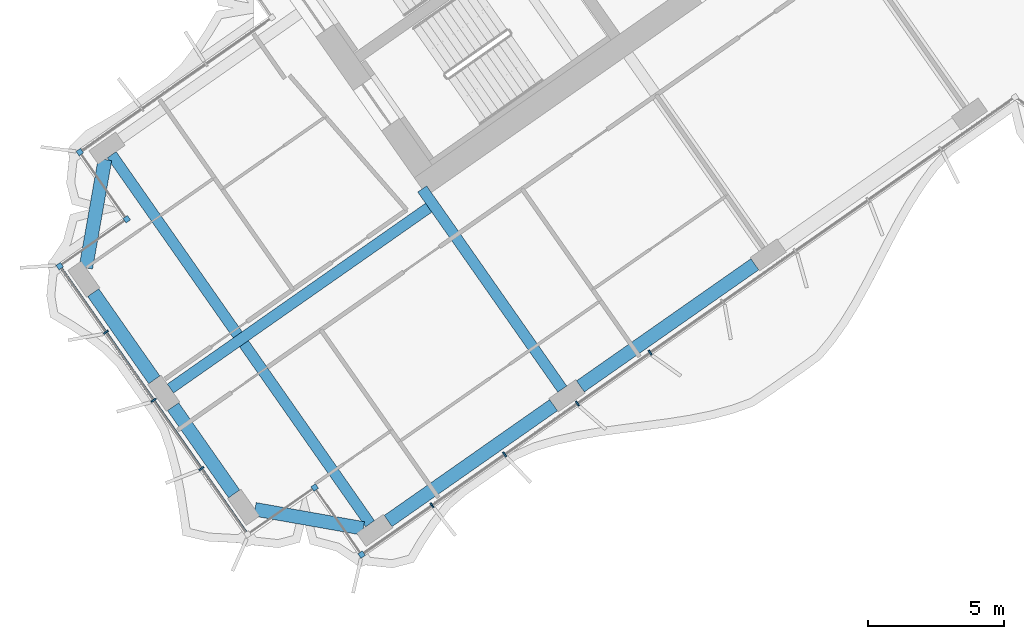
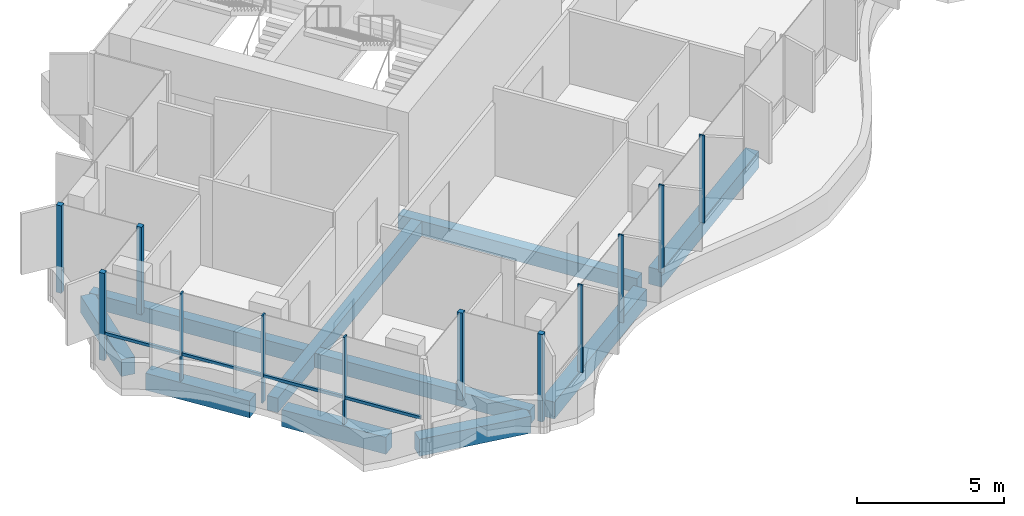
# One storey, part 2 of 21: 13 members, 9 beams, 1 element without a shape of its own.
"""IFC4 building model written with IfcOpenShell, lengths in metres."""

from ifc_helpers import new_model, si_unit, direction, frame, origin, origin_2d, place, context, subcontext, project, spatial, rectangle, extrude, material, material_profile, profile_set, type_object, element, aggregate, save


model = new_model("IFC4")

# Units and contexts
model_context = context("Model", 3, precision=1e-05, world=origin(), true_north=direction((0.0, 1.0)))
body_context = subcontext(model_context, "Body", "Model", "MODEL_VIEW")
ifc_project = project(units=[si_unit("LENGTHUNIT", "METRE"), si_unit("AREAUNIT", "SQUARE_METRE"), si_unit("VOLUMEUNIT", "CUBIC_METRE"), si_unit("PLANEANGLEUNIT", "RADIAN"), si_unit("MASSUNIT", "GRAM", prefix="KILO")], contexts=[model_context])

# Site, building, storey
site_placement = place(None, origin())
site = spatial("IfcSite", under=ifc_project, at=site_placement, CompositionType="ELEMENT")
building_placement = place(site_placement, origin())
building = spatial("IfcBuilding", under=site, at=building_placement, Name="Tel Ilan Convention Tower", CompositionType="ELEMENT")
storey_placement = place(building_placement, frame((0.0, 0.0, 206.10009765625)))
storey = spatial("IfcBuildingStorey", under=building, at=storey_placement, Name="L48", CompositionType="ELEMENT", Elevation=206.10009765625)

# Beams
ifc_material_1 = material(Name="Concrete C40/50", Category="concrete")
ifc_material_profile_1 = material_profile(ifc_material_1, rectangle(XDim=0.39990234375, YDim=0.60009765625, at=origin_2d()), Name="RC 400x600")
ifc_profile_set_1 = profile_set([ifc_material_profile_1], Name="Concrete C40/50")
beam_type_1 = type_object("IfcBeamType", Name="Beam RC 400x600 Concrete C40/50", PredefinedType="BEAM", material=ifc_profile_set_1)
beam_1_placement = place(storey_placement, frame((-16.58203125, -23.391357421875, -0.580078125), z_axis=(-0.573584999642, 0.819146048141, 0.0), x_axis=(-0.819146048141, -0.573584999642, 0.0)))
element("IfcBeam", 1, at=beam_1_placement, inside=storey, type_object=beam_type_1, Name="L48 beam W-W-F3-core", PredefinedType="BEAM", context=body_context, shape_type="SweptSolid", body=[
    extrude(rectangle(XDim=0.39990234375, YDim=0.60009765625, at=origin_2d()), origin(), (0.0, 0.0, 1.0), 8.949951171875),
])
beam_2_placement = place(storey_placement, frame((-21.477783203125, -16.748046875, -0.580078125), z_axis=(-0.819160415691, -0.573564480564, 0.0), x_axis=(0.573564480564, -0.819160415691, 0.0)))
element("IfcBeam", 2, at=beam_2_placement, inside=storey, type_object=beam_type_1, Name="L48 beam W-core-end", PredefinedType="BEAM", context=body_context, shape_type="SweptSolid", body=[
    extrude(rectangle(XDim=0.39990234375, YDim=0.60009765625, at=origin_2d()), origin(), (0.0, 0.0, 1.0), 11.550048828125),
])
beam_3_placement = place(storey_placement, frame((-23.626708984375, -28.32421875, -0.580078125), z_axis=(-0.573577531157, 0.819151277697, 0.0), x_axis=(-0.819151277697, -0.573577531157, 0.0)))
element("IfcBeam", 3, at=beam_3_placement, inside=storey, type_object=beam_type_1, Name="L48 beam W-W-FC-W-BC", PredefinedType="BEAM", context=body_context, shape_type="SweptSolid", body=[
    extrude(rectangle(XDim=0.39990234375, YDim=0.60009765625, at=origin_2d()), origin(), (0.0, 0.0, 1.0), 16.500244140625),
])
ifc_material_2 = material(Name="Concrete C40/50", Category="concrete")
ifc_material_profile_2 = material_profile(ifc_material_2, rectangle(XDim=0.5, YDim=0.699951171875, at=origin_2d()), Name="RC 500x700")
ifc_profile_set_2 = profile_set([ifc_material_profile_2], Name="Concrete C40/50")
beam_type_2 = type_object("IfcBeamType", Name="Beam RC 500x700 Concrete C40/50", PredefinedType="BEAM", material=ifc_profile_set_2)
beam_4_placement = place(storey_placement, frame((-9.529052734375, -18.819091796875, -0.630126953125), z_axis=(-0.819153977895, -0.573573674866, 0.0), x_axis=(0.573573674866, -0.819153977895, 0.0)))
element("IfcBeam", 4, at=beam_4_placement, inside=storey, type_object=beam_type_2, Name="L48 beam W-W-F2-W-F3", PredefinedType="BEAM", context=body_context, shape_type="SweptSolid", body=[
    extrude(rectangle(XDim=0.5, YDim=0.699951171875, at=origin_2d()), origin(), (0.0, 0.0, 1.0), 7.800048828125),
])
beam_5_placement = place(storey_placement, frame((-16.901611328125, -23.981201171875, -0.630126953125), z_axis=(-0.819148211634, -0.573581909911, 0.0), x_axis=(0.573581909911, -0.819148211634, 0.0)))
element("IfcBeam", 5, at=beam_5_placement, inside=storey, type_object=beam_type_2, Name="L48 beam W-W-F3-W-FC", PredefinedType="BEAM", context=body_context, shape_type="SweptSolid", body=[
    extrude(rectangle(XDim=0.5, YDim=0.699951171875, at=origin_2d()), origin(), (0.0, 0.0, 1.0), 7.39990234375),
])
beam_6_placement = place(storey_placement, frame((-23.87255859375, -28.49609375, -0.630126953125), z_axis=(-0.984815252405, 0.173605641124, 0.0), x_axis=(-0.173605641124, -0.984815252405, 0.0)))
element("IfcBeam", 6, at=beam_6_placement, inside=storey, type_object=beam_type_2, Name="L48 beam W-W-FC-W-E1", PredefinedType="BEAM", context=body_context, shape_type="SweptSolid", body=[
    extrude(rectangle(XDim=0.5, YDim=0.699951171875, at=origin_2d()), origin(), (0.0, 0.0, 1.0), 4.030517578125),
])
for number, where, z_axis, x_axis, name in (
    (7, (-28.603759765625, -27.231201171875, -0.630126953125), (-0.573609383536, 0.819128973434, 0.0), (-0.819128973434, -0.573609383536, 0.0), "L48 beam W-W-E1-W-E2"),
    (8, (-31.529052734375, -23.053466796875, -0.630126953125), (-0.573609383536, 0.819128973434, 0.0), (-0.819128973434, -0.573609383536, 0.0), "L48 beam W-W-E2-W-E3"),
):
    element("IfcBeam", number, at=place(storey_placement, frame(where, z_axis=z_axis, x_axis=x_axis)), inside=storey, type_object=beam_type_2, Name=name, PredefinedType="BEAM", context=body_context, shape_type="SweptSolid", body=[
        extrude(rectangle(XDim=0.5, YDim=0.699951171875, at=origin_2d()), origin(), (0.0, 0.0, 1.0), 3.89990234375),
    ])
beam_7_placement = place(storey_placement, frame((-34.036376953125, -18.949462890625, -0.630126953125), z_axis=(0.173605641124, 0.984815252405, 0.0), x_axis=(-0.984815252405, 0.173605641124, 0.0)))
element("IfcBeam", 9, at=beam_7_placement, inside=storey, type_object=beam_type_2, Name="L48 beam W-W-E3-W-BC", PredefinedType="BEAM", context=body_context, shape_type="SweptSolid", body=[
    extrude(rectangle(XDim=0.5, YDim=0.699951171875, at=origin_2d()), origin(), (0.0, 0.0, 1.0), 4.030517578125),
])

# Curtain wall, members
ifc_material_3 = material(Name="Aluminium, bronze anodised", Category="aluminium")
curtain_wall_type = type_object("IfcCurtainWallType", Name="CW4 STICK CURTAIN WALL, OFFICE TINTED GLASS", PredefinedType="NOTDEFINED", material=ifc_material_3)
curtain_wall_placement = place(storey_placement, origin())
curtain_wall = element("IfcCurtainWall", 10, at=curtain_wall_placement, inside=storey, type_object=curtain_wall_type, Name="Curtain wall CW4-38.02", PredefinedType="NOTDEFINED")
ifc_material_4 = material(Name="Aluminium, bronze anodised", Category="aluminium")
ifc_material_profile_3 = material_profile(ifc_material_4, rectangle(XDim=0.199951171875, YDim=0.199951171875, at=origin_2d()), Name="CW CORNER MULLION 200x200")
ifc_profile_set_3 = profile_set([ifc_material_profile_3], Name="Aluminium, bronze anodised")
member_type_1 = type_object("IfcMemberType", Name="CW CORNER MULLION 200x200", PredefinedType="MULLION", material=ifc_profile_set_3)
member_1_placement = place(storey_placement, frame((-34.25830078125, -14.7099609375, 0.0), z_axis=(0.0, 0.0, 1.0), x_axis=(-0.819152044289, -0.573576436351, 0.0)))
member_1 = element("IfcMember", 11, at=member_1_placement, type_object=member_type_1, Name="Corner mullion", PredefinedType="MULLION", context=body_context, shape_type="SweptSolid", body=[
    extrude(rectangle(XDim=0.199951171875, YDim=0.199951171875, at=origin_2d()), origin(), (0.0, 0.0, 1.0), 3.619873046875),
])
member_2_placement = place(storey_placement, frame((-32.53759765625, -17.16748046875, 0.0), z_axis=(0.0, 0.0, 1.0), x_axis=(0.573576436351, -0.819152044289, 0.0)))
member_2 = element("IfcMember", 12, at=member_2_placement, type_object=member_type_1, Name="Corner mullion", PredefinedType="MULLION", context=body_context, shape_type="SweptSolid", body=[
    extrude(rectangle(XDim=0.199951171875, YDim=0.199951171875, at=origin_2d()), origin(), (0.0, 0.0, 1.0), 3.619873046875),
])
member_3_placement = place(storey_placement, frame((-34.994873046875, -18.88818359375, 0.0), z_axis=(0.0, 0.0, 1.0), x_axis=(-0.819152044289, -0.573576436351, 0.0)))
member_3 = element("IfcMember", 13, at=member_3_placement, type_object=member_type_1, Name="Corner mullion", PredefinedType="MULLION", context=body_context, shape_type="SweptSolid", body=[
    extrude(rectangle(XDim=0.199951171875, YDim=0.199951171875, at=origin_2d()), origin(), (0.0, 0.0, 1.0), 3.619873046875),
])
member_4_placement = place(storey_placement, frame((-25.654541015625, -26.997314453125, 0.0), z_axis=(0.0, 0.0, 1.0), x_axis=(0.819152044289, 0.573576436351, 0.0)))
member_4 = element("IfcMember", 14, at=member_4_placement, type_object=member_type_1, Name="Corner mullion", PredefinedType="MULLION", context=body_context, shape_type="SweptSolid", body=[
    extrude(rectangle(XDim=0.199951171875, YDim=0.199951171875, at=origin_2d()), origin(), (0.0, 0.0, 1.0), 3.619873046875),
])
member_5_placement = place(storey_placement, frame((-23.933837890625, -29.454833984375, 0.0), z_axis=(0.0, 0.0, 1.0), x_axis=(0.573576436351, -0.819152044289, 0.0)))
member_5 = element("IfcMember", 15, at=member_5_placement, type_object=member_type_1, Name="Corner mullion", PredefinedType="MULLION", context=body_context, shape_type="SweptSolid", body=[
    extrude(rectangle(XDim=0.199951171875, YDim=0.199951171875, at=origin_2d()), origin(), (0.0, 0.0, 1.0), 3.619873046875),
])
ifc_material_5 = material(Name="Aluminium, bronze anodised", Category="aluminium")
ifc_material_profile_4 = material_profile(ifc_material_5, rectangle(XDim=0.06005859375, YDim=0.199951171875, at=origin_2d()), Name="CW MULLION 60x200")
ifc_profile_set_4 = profile_set([ifc_material_profile_4], Name="Aluminium, bronze anodised")
member_type_2 = type_object("IfcMemberType", Name="CW MULLION 60x200", PredefinedType="MULLION", material=ifc_profile_set_4)
member_6_placement = place(storey_placement, frame((-33.302978515625, -21.3046875, 0.0), z_axis=(0.0, 0.0, 1.0), x_axis=(0.573576436351, -0.819152044289, 0.0)))
member_6 = element("IfcMember", 16, at=member_6_placement, type_object=member_type_2, Name="Mullion", PredefinedType="MULLION", context=body_context, shape_type="SweptSolid", body=[
    extrude(rectangle(XDim=0.06005859375, YDim=0.199951171875, at=origin_2d()), origin(), (0.0, 0.0, 1.0), 3.619873046875),
])
member_7_placement = place(storey_placement, frame((-31.553466796875, -23.802978515625, 0.0), z_axis=(0.0, 0.0, 1.0), x_axis=(0.573576436351, -0.819152044289, 0.0)))
member_7 = element("IfcMember", 17, at=member_7_placement, type_object=member_type_2, Name="Mullion", PredefinedType="MULLION", context=body_context, shape_type="SweptSolid", body=[
    extrude(rectangle(XDim=0.06005859375, YDim=0.199951171875, at=origin_2d()), origin(), (0.0, 0.0, 1.0), 3.619873046875),
])
member_8_placement = place(storey_placement, frame((-29.80419921875, -26.301513671875, 0.0), z_axis=(0.0, 0.0, 1.0), x_axis=(0.573576436351, -0.819152044289, 0.0)))
member_8 = element("IfcMember", 18, at=member_8_placement, type_object=member_type_2, Name="Mullion", PredefinedType="MULLION", context=body_context, shape_type="SweptSolid", body=[
    extrude(rectangle(XDim=0.06005859375, YDim=0.199951171875, at=origin_2d()), origin(), (0.0, 0.0, 1.0), 3.619873046875),
])
member_9_placement = place(storey_placement, frame((-21.353759765625, -27.648193359375, 0.0), z_axis=(0.0, 0.0, 1.0), x_axis=(0.819152044289, 0.573576436351, 0.0)))
member_9 = element("IfcMember", 19, at=member_9_placement, type_object=member_type_2, Name="Mullion", PredefinedType="MULLION", context=body_context, shape_type="SweptSolid", body=[
    extrude(rectangle(XDim=0.06005859375, YDim=0.199951171875, at=origin_2d()), origin(), (0.0, 0.0, 1.0), 3.619873046875),
])
member_10_placement = place(storey_placement, frame((-18.691650390625, -25.7841796875, 0.0), z_axis=(0.0, 0.0, 1.0), x_axis=(0.819152044289, 0.573576436351, 0.0)))
member_10 = element("IfcMember", 20, at=member_10_placement, type_object=member_type_2, Name="Mullion", PredefinedType="MULLION", context=body_context, shape_type="SweptSolid", body=[
    extrude(rectangle(XDim=0.06005859375, YDim=0.199951171875, at=origin_2d()), origin(), (0.0, 0.0, 1.0), 3.619873046875),
])
member_11_placement = place(storey_placement, frame((-16.029541015625, -23.920166015625, 0.0), z_axis=(0.0, 0.0, 1.0), x_axis=(0.819152044289, 0.573576436351, 0.0)))
member_11 = element("IfcMember", 21, at=member_11_placement, type_object=member_type_2, Name="Mullion", PredefinedType="MULLION", context=body_context, shape_type="SweptSolid", body=[
    extrude(rectangle(XDim=0.06005859375, YDim=0.199951171875, at=origin_2d()), origin(), (0.0, 0.0, 1.0), 3.619873046875),
])
member_12_placement = place(storey_placement, frame((-13.36767578125, -22.05615234375, 0.0), z_axis=(0.0, 0.0, 1.0), x_axis=(0.819152044289, 0.573576436351, 0.0)))
member_12 = element("IfcMember", 22, at=member_12_placement, type_object=member_type_2, Name="Mullion", PredefinedType="MULLION", context=body_context, shape_type="SweptSolid", body=[
    extrude(rectangle(XDim=0.06005859375, YDim=0.199951171875, at=origin_2d()), origin(), (0.0, 0.0, 1.0), 3.619873046875),
])
ifc_material_6 = material(Name="Aluminium, bronze anodised", Category="aluminium")
ifc_material_profile_5 = material_profile(ifc_material_6, rectangle(XDim=0.10009765625, YDim=0.1201171875, at=origin_2d()), Name="CW TRANSOM 100x120")
ifc_profile_set_5 = profile_set([ifc_material_profile_5], Name="Aluminium, bronze anodised")
member_type_3 = type_object("IfcMemberType", Name="CW TRANSOM 100x120", PredefinedType="USERDEFINED", material=ifc_profile_set_5)
member_13_placement = place(storey_placement, frame((-34.9375, -18.969970703125, 1.099853515625), z_axis=(0.573567872435, -0.819158040741, 0.0), x_axis=(0.819158040741, 0.573567872435, 0.0)))
member_13 = element("IfcMember", 23, at=member_13_placement, type_object=member_type_3, Name="Transom", ObjectType="TRANSOM", PredefinedType="USERDEFINED", context=body_context, shape_type="SweptSolid", body=[
    extrude(rectangle(XDim=0.10009765625, YDim=0.1201171875, at=origin_2d()), origin(), (0.0, 0.0, 1.0), 11.800048828125),
])
aggregate(curtain_wall, [member_1, member_2, member_3, member_6, member_7, member_8, member_13, member_4, member_5, member_9, member_10, member_11, member_12])

save(model, "model.ifc")
